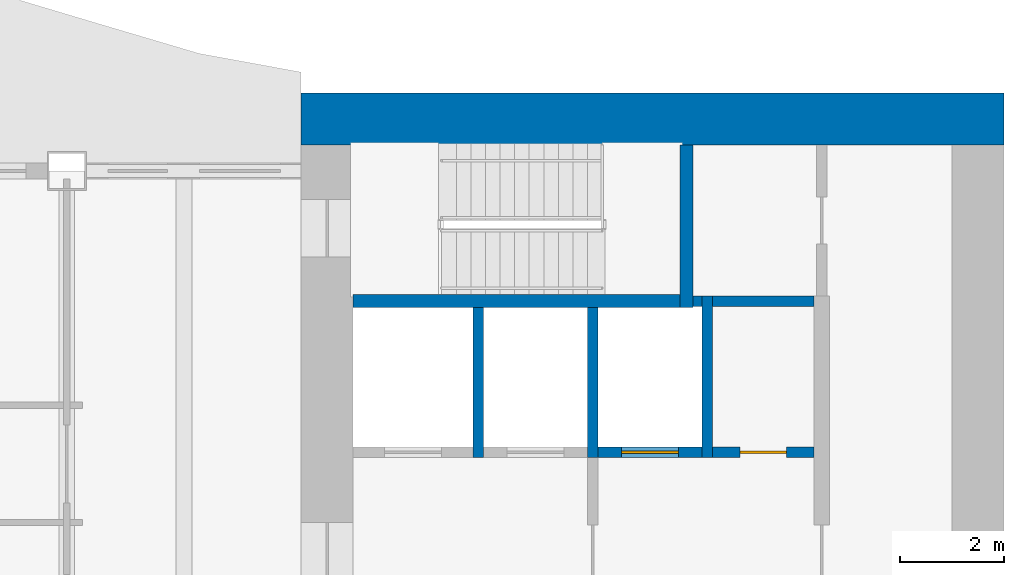
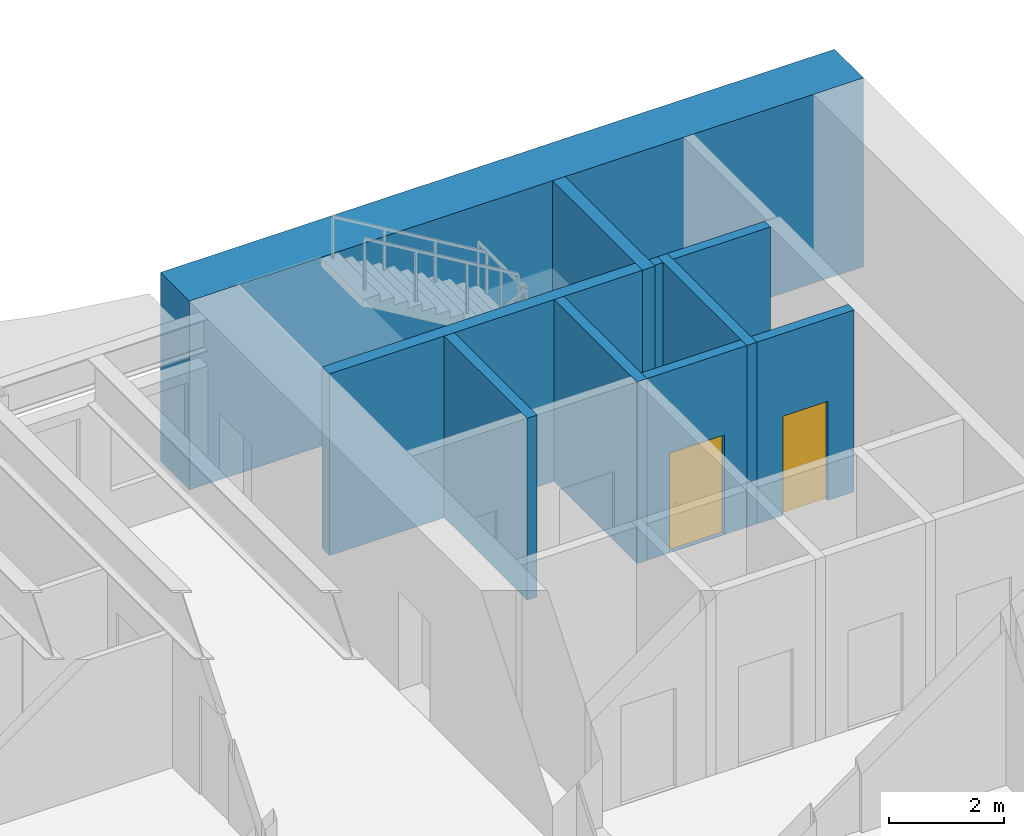
# One storey, part 8 of 17: 10 walls, 2 doors, 2 openings.
"""IFC4 building model written with IfcOpenShell, lengths in metres."""

from ifc_helpers import new_model, si_unit, direction, frame, frame_2d, origin, place, context, subcontext, project, spatial, rectangle, extrude, material, layer, layer_set, type_object, element, fill, save


model = new_model("IFC4")

# Units and contexts
model_context = context("Model", 3, precision=1e-05, world=origin(), true_north=direction((0.0, 1.0)))
body_context = subcontext(model_context, "Body", "Model", "MODEL_VIEW")
ifc_project = project(units=[si_unit("LENGTHUNIT", "METRE"), si_unit("AREAUNIT", "SQUARE_METRE"), si_unit("VOLUMEUNIT", "CUBIC_METRE"), si_unit("PLANEANGLEUNIT", "RADIAN"), si_unit("MASSUNIT", "GRAM", prefix="KILO")], contexts=[model_context])

# Site, building, storey
site_placement = place(None, origin())
site = spatial("IfcSite", under=ifc_project, at=site_placement, CompositionType="ELEMENT")
building_placement = place(site_placement, origin())
building = spatial("IfcBuilding", under=site, at=building_placement, Name="Sennacour Bend Tower", CompositionType="ELEMENT")
storey_placement = place(building_placement, frame((0.0, 0.0, 195.0)))
storey = spatial("IfcBuildingStorey", under=building, at=storey_placement, Name="L44", CompositionType="ELEMENT", Elevation=195.0)

# Wall
ifc_material_1 = material(Name="Concrete C60/75", Category="concrete")
ifc_layer_1 = layer(ifc_material_1, 1.0, Name="Concrete C60/75", Category="concrete")
ifc_layer_set_1 = layer_set([ifc_layer_1], Name="Concrete C60/75")
wall_type_1 = type_object("IfcWallType", Name="Core wall 1000 C60/75", PredefinedType="SHEAR", material=ifc_layer_set_1)
wall_1_placement = place(storey_placement, frame((54.0, 22.0, -0.14990234375), z_axis=(0.0, 0.0, 1.0), x_axis=(1.0, 0.0, 0.0)))
element("IfcWall", 1, at=wall_1_placement, inside=storey, type_object=wall_type_1, Name="Core A wall L44 N", PredefinedType="SHEAR", context=body_context, shape_type="SweptSolid", body=[
    extrude(rectangle(XDim=13.5, YDim=1.0, at=frame_2d((6.75, 0.0))), origin(), (0.0, 0.0, 1.0), 4.0),
])

# Wall, opening, door
ifc_material_2 = material(Name="Fire-rated plasterboard partition on steel studs", Category="steel")
ifc_layer_2 = layer(ifc_material_2, 0.199951171875, Name="Fire-rated plasterboard partition on steel studs", Category="steel")
ifc_layer_set_2 = layer_set([ifc_layer_2], Name="Fire-rated plasterboard partition on steel studs")
wall_type_2 = type_object("IfcWallType", Name="Rated partition 200", PredefinedType="PARTITIONING", material=ifc_layer_set_2)
wall_2_placement = place(storey_placement, frame((61.89990234375, 15.60009765625, 0.0), z_axis=(0.0, 0.0, 1.0), x_axis=(1.0, 0.0, 0.0)))
wall_2 = element("IfcWall", 2, at=wall_2_placement, inside=storey, type_object=wall_type_2, Name="P-L44-W068", PredefinedType="PARTITIONING", context=body_context, shape_type="SweptSolid", body=[
    extrude(rectangle(XDim=1.9501953125, YDim=0.199951171875, at=frame_2d((0.97509765625, 0.0))), origin(), (0.0, 0.0, 1.0), 3.85009765625),
])
opening_1_placement = place(wall_2_placement, frame((0.525146484375, 0.0, 0.0)))
opening_1 = element("IfcOpeningElement", 3, at=opening_1_placement, cuts=wall_2, Name="Opening SV", PredefinedType="OPENING", context=body_context, shape_type="SweptSolid", body=[
    extrude(rectangle(XDim=0.89990234375, YDim=2.10009765625, at=frame_2d((0.449951171875, 1.050048828125))), frame((0.0, 0.10986328125, 0.0), z_axis=(0.0, -1.0, 0.0), x_axis=(1.0, 0.0, 0.0)), (0.0, 0.0, 1.0), 0.219970703125),
])
ifc_material_3 = material(Name="Painted steel", Category="steel")
door_type_1 = type_object("IfcDoorType", Name="DR-SERVICE-900", OperationType="NOTDEFINED", PredefinedType="DOOR", material=ifc_material_3)
door_1_placement = place(opening_1_placement, origin())
door_1 = element("IfcDoor", 4, at=door_1_placement, inside=storey, type_object=door_type_1, Name="Door", OperationType="SINGLE_SWING_LEFT", OverallHeight=2.10009765625, OverallWidth=0.89990234375, PredefinedType="DOOR", context=body_context, shape_type="SweptSolid", body=[
    extrude(rectangle(XDim=0.89990234375, YDim=2.10009765625, at=frame_2d((0.449951171875, 1.050048828125))), frame((0.0, 0.02490234375, 0.0), z_axis=(0.0, -1.0, 0.0), x_axis=(1.0, 0.0, 0.0)), (0.0, 0.0, 1.0), 0.050048828125),
])
fill(opening_1, door_1)

# Walls
wall_3_placement = place(storey_placement, frame((61.89990234375, 18.5, 0.0), z_axis=(0.0, 0.0, 1.0), x_axis=(1.0, 0.0, 0.0)))
element("IfcWall", 5, at=wall_3_placement, inside=storey, type_object=wall_type_2, Name="P-L44-W073", PredefinedType="PARTITIONING", context=body_context, shape_type="SweptSolid", body=[
    extrude(rectangle(XDim=1.9501953125, YDim=0.199951171875, at=frame_2d((0.97509765625, 0.0))), origin(), (0.0, 0.0, 1.0), 3.85009765625),
])
ifc_material_4 = material(Name="Concrete C50/60", Category="concrete")
ifc_layer_3 = layer(ifc_material_4, 0.199951171875, Name="Concrete C50/60", Category="concrete")
ifc_layer_set_3 = layer_set([ifc_layer_3], Name="Concrete C50/60")
wall_type_3 = type_object("IfcWallType", Name="Shaft wall 200", PredefinedType="SOLIDWALL", material=ifc_layer_set_3)
for number, where, z_axis, x_axis, name in (
    (6, (57.39990234375, 15.5, 0.0), (0.0, 0.0, 1.0), (0.0, 1.0, 0.0), "P-L44-W040"),
    (7, (59.60009765625, 15.5, 0.0), (0.0, 0.0, 1.0), (0.0, 1.0, 0.0), "P-L44-W043"),
):
    element("IfcWall", number, at=place(storey_placement, frame(where, z_axis=z_axis, x_axis=x_axis)), inside=storey, type_object=wall_type_3, Name=name, PredefinedType="SOLIDWALL", context=body_context, shape_type="SweptSolid", body=[
        extrude(rectangle(XDim=2.875, YDim=0.199951171875, at=frame_2d((1.4375, 0.0))), origin(), (0.0, 0.0, 1.0), 3.85009765625),
    ])
wall_4_placement = place(storey_placement, frame((61.800048828125, 15.5, 0.0), z_axis=(0.0, 0.0, 1.0), x_axis=(0.0, 1.0, 0.0)))
element("IfcWall", 8, at=wall_4_placement, inside=storey, type_object=wall_type_3, Name="P-L44-W048", PredefinedType="SOLIDWALL", context=body_context, shape_type="SweptSolid", body=[
    extrude(rectangle(XDim=3.10009765625, YDim=0.199951171875, at=frame_2d((1.550048828125, 0.0))), origin(), (0.0, 0.0, 1.0), 3.85009765625),
])

# Wall, opening, door
wall_5_placement = place(storey_placement, frame((59.699951171875, 15.60009765625, 0.0), z_axis=(0.0, 0.0, 1.0), x_axis=(1.0, 0.0, 0.0)))
wall_5 = element("IfcWall", 9, at=wall_5_placement, inside=storey, type_object=wall_type_3, Name="P-L44-W067c", PredefinedType="SOLIDWALL", context=body_context, shape_type="SweptSolid", body=[
    extrude(rectangle(XDim=2.0, YDim=0.199951171875, at=frame_2d((1.0, 0.0))), origin(), (0.0, 0.0, 1.0), 3.85009765625),
])
opening_2_placement = place(wall_5_placement, frame((0.449951171875, 0.0, 0.011962890625)))
opening_2 = element("IfcOpeningElement", 10, at=opening_2_placement, cuts=wall_5, Name="Opening LD", PredefinedType="OPENING", context=body_context, shape_type="SweptSolid", body=[
    extrude(rectangle(XDim=1.10009765625, YDim=2.10009765625, at=frame_2d((0.550048828125, 1.050048828125))), frame((0.0, 0.10986328125, 0.0), z_axis=(0.0, -1.0, 0.0), x_axis=(1.0, 0.0, 0.0)), (0.0, 0.0, 1.0), 0.219970703125),
])
ifc_material_5 = material(Name="Stainless steel", Category="steel")
door_type_2 = type_object("IfcDoorType", Name="DR-LANDING-1100", OperationType="NOTDEFINED", PredefinedType="DOOR", material=ifc_material_5)
door_2_placement = place(opening_2_placement, origin())
door_2 = element("IfcDoor", 11, at=door_2_placement, inside=storey, type_object=door_type_2, Name="Lift landing door HA5", OperationType="SLIDING_TO_LEFT", OverallHeight=2.10009765625, OverallWidth=1.10009765625, PredefinedType="DOOR", context=body_context, shape_type="SweptSolid", body=[
    extrude(rectangle(XDim=1.10009765625, YDim=2.10009765625, at=frame_2d((0.550048828125, 1.050048828125))), frame((0.0, 0.02490234375, 0.0), z_axis=(0.0, -1.0, 0.0), x_axis=(1.0, 0.0, 0.0)), (0.0, 0.0, 1.0), 0.050048828125),
])
fill(opening_2, door_2)

# Walls
wall_6_placement = place(storey_placement, frame((61.52490234375, 18.5, 0.0), z_axis=(0.0, 0.0, 1.0), x_axis=(1.0, 0.0, 0.0)))
element("IfcWall", 12, at=wall_6_placement, inside=storey, type_object=wall_type_3, Name="P-L44-W072", PredefinedType="SOLIDWALL", context=body_context, shape_type="SweptSolid", body=[
    extrude(rectangle(XDim=0.175048828125, YDim=0.199951171875, at=frame_2d((0.08740234375, 0.0))), origin(), (0.0, 0.0, 1.0), 3.85009765625),
])
ifc_layer_4 = layer(ifc_material_1, 0.25, Name="Concrete C60/75", Category="concrete")
ifc_layer_set_4 = layer_set([ifc_layer_4], Name="Concrete C60/75")
wall_type_4 = type_object("IfcWallType", Name="Stair wall 250", PredefinedType="SHEAR", material=ifc_layer_set_4)
wall_7_placement = place(storey_placement, frame((61.39990234375, 18.375, 0.0), z_axis=(0.0, 0.0, 1.0), x_axis=(0.0, 1.0, 0.0)))
element("IfcWall", 13, at=wall_7_placement, inside=storey, type_object=wall_type_4, Name="P-L44-W045", PredefinedType="SHEAR", context=body_context, shape_type="SweptSolid", body=[
    extrude(rectangle(XDim=3.125, YDim=0.25, at=frame_2d((1.5625, 0.0))), origin(), (0.0, 0.0, 1.0), 3.85009765625),
])
wall_8_placement = place(storey_placement, frame((55.0, 18.5, 0.0), z_axis=(0.0, 0.0, 1.0), x_axis=(1.0, 0.0, 0.0)))
element("IfcWall", 14, at=wall_8_placement, inside=storey, type_object=wall_type_4, Name="P-L44-W071", PredefinedType="SHEAR", context=body_context, shape_type="SweptSolid", body=[
    extrude(rectangle(XDim=6.27490234375, YDim=0.25, at=frame_2d((3.137451171875, 0.0))), origin(), (0.0, 0.0, 1.0), 3.85009765625),
])

save(model, "model.ifc")
